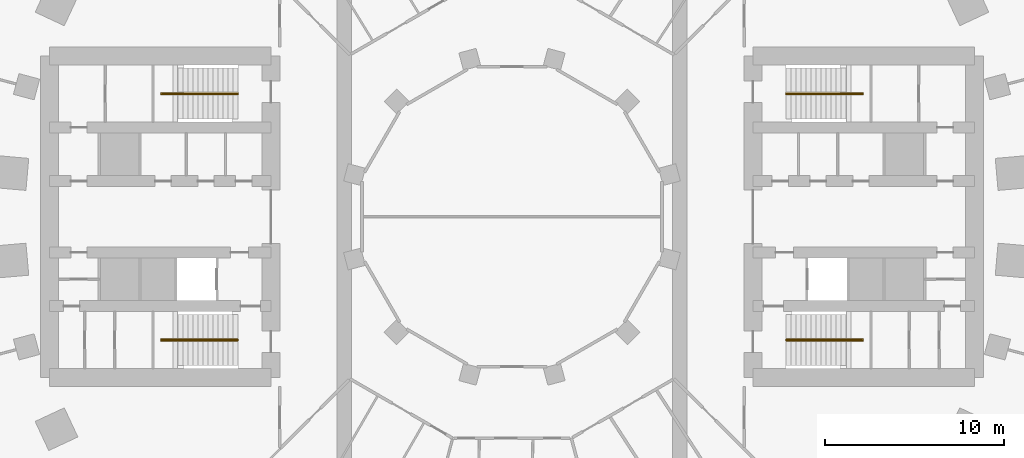
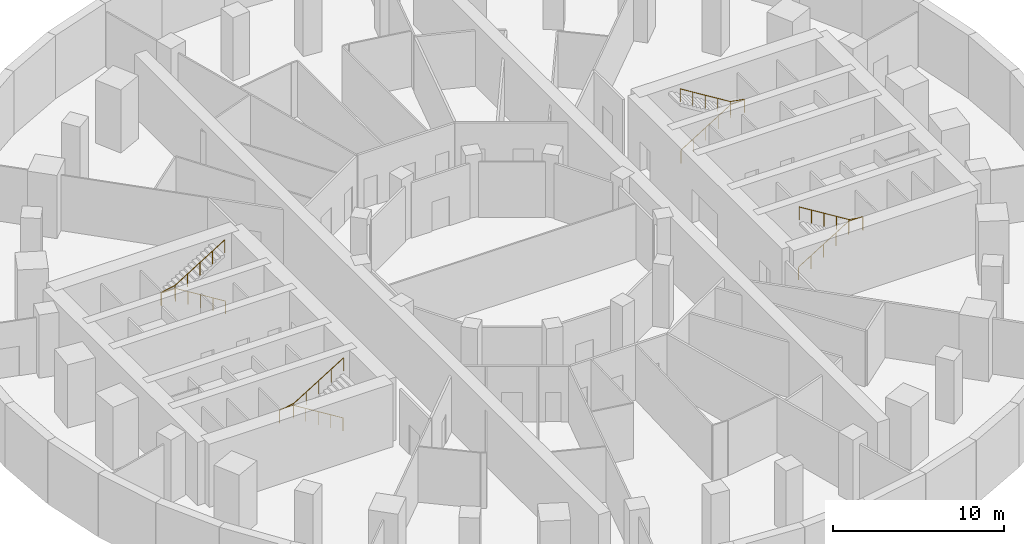
# One storey, part 8 of 8: 4 railings.
"""IFC4 building model written with IfcOpenShell, lengths in metres."""

from ifc_helpers import new_model, si_unit, direction, frame, origin, origin_2d, place, context, subcontext, project, spatial, circle, extrude, material, type_object, element, save


model = new_model("IFC4")

# Units and contexts
model_context = context("Model", 3, precision=1e-05, world=origin(), true_north=direction((0.0, 1.0)))
body_context = subcontext(model_context, "Body", "Model", "MODEL_VIEW")
ifc_project = project(units=[si_unit("LENGTHUNIT", "METRE"), si_unit("AREAUNIT", "SQUARE_METRE"), si_unit("VOLUMEUNIT", "CUBIC_METRE"), si_unit("PLANEANGLEUNIT", "RADIAN"), si_unit("MASSUNIT", "GRAM", prefix="KILO")], contexts=[model_context])

# Site, building, storey
site_placement = place(None, origin())
site = spatial("IfcSite", under=ifc_project, at=site_placement, CompositionType="ELEMENT")
building_placement = place(site_placement, origin())
building = spatial("IfcBuilding", under=site, at=building_placement, Name="Saqina Gate Tower", CompositionType="ELEMENT")
storey_placement = place(building_placement, frame((0.0, 0.0, -4.5)))
storey = spatial("IfcBuildingStorey", under=building, at=storey_placement, Name="B1", CompositionType="ELEMENT", Elevation=-4.5)

# Railings
ifc_material = material(Name="Stainless steel", Category="steel")
railing_type = type_object("IfcRailingType", Name="STAIR HANDRAIL", PredefinedType="HANDRAIL", material=ifc_material)
railing_1_placement = place(storey_placement, frame((15.35009765625, 6.86669921875, 0.173095703125)))
element("IfcRailing", 1, at=railing_1_placement, inside=storey, type_object=railing_type, Name="EXIT STAIR 1 HANDRAIL", PredefinedType="HANDRAIL", context=body_context, shape_type="SweptSolid", body=[
    extrude(circle(Radius=0.02392578125, at=origin_2d()), frame((0.0, 0.0, 0.92578125), z_axis=(0.850606129759, 0.0, 0.525803396734), x_axis=(0.0, 1.0, 0.0)), (0.0, 0.0, 1.0), 3.949951171875),
    extrude(circle(Radius=0.02392578125, at=origin_2d()), frame((3.35986328125, 0.0, 3.0029296875), z_axis=(1.0, 0.0, 0.0), x_axis=(0.0, 1.0, 0.0)), (0.0, 0.0, 1.0), 0.949951171875),
    extrude(circle(Radius=0.02392578125, at=origin_2d()), frame((4.309814453125, 0.0, 3.0029296875), z_axis=(0.0, 1.0, 0.0), x_axis=(-1.0, 0.0, 0.0)), (0.0, 0.0, 1.0), 0.066650390625),
    extrude(circle(Radius=0.02392578125, at=origin_2d()), frame((4.309814453125, 0.066650390625, 3.0029296875), z_axis=(-0.983801064867, 0.0, 0.17926367386), x_axis=(0.0, -1.0, 0.0)), (0.0, 0.0, 1.0), 0.965576171875),
    extrude(circle(Radius=0.02392578125, at=origin_2d()), frame((3.35986328125, 0.066650390625, 3.17578125), z_axis=(-0.850606129759, 0.0, 0.525803396734), x_axis=(0.0, -1.0, 0.0)), (0.0, 0.0, 1.0), 3.949951171875),
    extrude(circle(Radius=0.02099609375, at=origin_2d()), origin(), (0.0, 0.0, 1.0), 0.90185546875),
    extrude(circle(Radius=0.02099609375, at=origin_2d()), frame((0.83984375, 0.0, 0.519287109375)), (0.0, 0.0, 1.0), 0.90185546875),
    extrude(circle(Radius=0.02099609375, at=origin_2d()), frame((1.679931640625, 0.0, 1.03857421875)), (0.0, 0.0, 1.0), 0.90185546875),
    extrude(circle(Radius=0.02099609375, at=origin_2d()), frame((2.52001953125, 0.0, 1.5576171875)), (0.0, 0.0, 1.0), 0.90185546875),
    extrude(circle(Radius=0.02099609375, at=origin_2d()), frame((3.35986328125, 0.0, 2.076904296875)), (0.0, 0.0, 1.0), 0.90185546875),
    extrude(circle(Radius=0.02099609375, at=origin_2d()), frame((4.309814453125, 0.0, 2.076904296875)), (0.0, 0.0, 1.0), 0.90185546875),
    extrude(circle(Radius=0.02099609375, at=origin_2d()), frame((4.309814453125, 0.066650390625, 2.076904296875)), (0.0, 0.0, 1.0), 0.90185546875),
    extrude(circle(Radius=0.02099609375, at=origin_2d()), frame((3.35986328125, 0.066650390625, 2.25)), (0.0, 0.0, 1.0), 0.90185546875),
    extrude(circle(Radius=0.02099609375, at=origin_2d()), frame((2.52001953125, 0.066650390625, 2.769287109375)), (0.0, 0.0, 1.0), 0.90185546875),
    extrude(circle(Radius=0.02099609375, at=origin_2d()), frame((1.679931640625, 0.066650390625, 3.28857421875)), (0.0, 0.0, 1.0), 0.90185546875),
    extrude(circle(Radius=0.02099609375, at=origin_2d()), frame((0.83984375, 0.066650390625, 3.8076171875)), (0.0, 0.0, 1.0), 0.90185546875),
    extrude(circle(Radius=0.02099609375, at=origin_2d()), frame((0.0, 0.066650390625, 4.326904296875)), (0.0, 0.0, 1.0), 0.90185546875),
])
railing_2_placement = place(storey_placement, frame((15.35009765625, -6.86669921875, 0.173095703125)))
element("IfcRailing", 2, at=railing_2_placement, inside=storey, type_object=railing_type, Name="EXIT STAIR 2 HANDRAIL", PredefinedType="HANDRAIL", context=body_context, shape_type="SweptSolid", body=[
    extrude(circle(Radius=0.02392578125, at=origin_2d()), frame((0.0, 0.0, 0.92578125), z_axis=(0.850606129759, 0.0, 0.525803396734), x_axis=(0.0, 1.0, 0.0)), (0.0, 0.0, 1.0), 3.949951171875),
    extrude(circle(Radius=0.02392578125, at=origin_2d()), frame((3.35986328125, 0.0, 3.0029296875), z_axis=(1.0, 0.0, 0.0), x_axis=(0.0, 1.0, 0.0)), (0.0, 0.0, 1.0), 0.949951171875),
    extrude(circle(Radius=0.02392578125, at=origin_2d()), frame((4.309814453125, 0.0, 3.0029296875), z_axis=(0.0, -1.0, 0.0), x_axis=(1.0, 0.0, 0.0)), (0.0, 0.0, 1.0), 0.066650390625),
    extrude(circle(Radius=0.02392578125, at=origin_2d()), frame((4.309814453125, -0.066650390625, 3.0029296875), z_axis=(-0.983801064867, 0.0, 0.17926367386), x_axis=(0.0, -1.0, 0.0)), (0.0, 0.0, 1.0), 0.965576171875),
    extrude(circle(Radius=0.02392578125, at=origin_2d()), frame((3.35986328125, -0.066650390625, 3.17578125), z_axis=(-0.850606129759, 0.0, 0.525803396734), x_axis=(0.0, -1.0, 0.0)), (0.0, 0.0, 1.0), 3.949951171875),
    extrude(circle(Radius=0.02099609375, at=origin_2d()), origin(), (0.0, 0.0, 1.0), 0.90185546875),
    extrude(circle(Radius=0.02099609375, at=origin_2d()), frame((0.83984375, 0.0, 0.519287109375)), (0.0, 0.0, 1.0), 0.90185546875),
    extrude(circle(Radius=0.02099609375, at=origin_2d()), frame((1.679931640625, 0.0, 1.03857421875)), (0.0, 0.0, 1.0), 0.90185546875),
    extrude(circle(Radius=0.02099609375, at=origin_2d()), frame((2.52001953125, 0.0, 1.5576171875)), (0.0, 0.0, 1.0), 0.90185546875),
    extrude(circle(Radius=0.02099609375, at=origin_2d()), frame((3.35986328125, 0.0, 2.076904296875)), (0.0, 0.0, 1.0), 0.90185546875),
    extrude(circle(Radius=0.02099609375, at=origin_2d()), frame((4.309814453125, 0.0, 2.076904296875)), (0.0, 0.0, 1.0), 0.90185546875),
    extrude(circle(Radius=0.02099609375, at=origin_2d()), frame((4.309814453125, -0.066650390625, 2.076904296875)), (0.0, 0.0, 1.0), 0.90185546875),
    extrude(circle(Radius=0.02099609375, at=origin_2d()), frame((3.35986328125, -0.066650390625, 2.25)), (0.0, 0.0, 1.0), 0.90185546875),
    extrude(circle(Radius=0.02099609375, at=origin_2d()), frame((2.52001953125, -0.066650390625, 2.769287109375)), (0.0, 0.0, 1.0), 0.90185546875),
    extrude(circle(Radius=0.02099609375, at=origin_2d()), frame((1.679931640625, -0.066650390625, 3.28857421875)), (0.0, 0.0, 1.0), 0.90185546875),
    extrude(circle(Radius=0.02099609375, at=origin_2d()), frame((0.83984375, -0.066650390625, 3.8076171875)), (0.0, 0.0, 1.0), 0.90185546875),
    extrude(circle(Radius=0.02099609375, at=origin_2d()), frame((0.0, -0.066650390625, 4.326904296875)), (0.0, 0.0, 1.0), 0.90185546875),
])
railing_3_placement = place(storey_placement, frame((-15.35009765625, 6.86669921875, 0.173095703125)))
element("IfcRailing", 3, at=railing_3_placement, inside=storey, type_object=railing_type, Name="EXIT STAIR 3 HANDRAIL", PredefinedType="HANDRAIL", context=body_context, shape_type="SweptSolid", body=[
    extrude(circle(Radius=0.02392578125, at=origin_2d()), frame((0.0, 0.0, 0.92578125), z_axis=(-0.850606129759, 0.0, 0.525803396734), x_axis=(0.0, -1.0, 0.0)), (0.0, 0.0, 1.0), 3.949951171875),
    extrude(circle(Radius=0.02392578125, at=origin_2d()), frame((-3.35986328125, 0.0, 3.0029296875), z_axis=(-1.0, 0.0, 0.0), x_axis=(0.0, -1.0, 0.0)), (0.0, 0.0, 1.0), 0.949951171875),
    extrude(circle(Radius=0.02392578125, at=origin_2d()), frame((-4.309814453125, 0.0, 3.0029296875), z_axis=(0.0, 1.0, 0.0), x_axis=(-1.0, 0.0, 0.0)), (0.0, 0.0, 1.0), 0.066650390625),
    extrude(circle(Radius=0.02392578125, at=origin_2d()), frame((-4.309814453125, 0.066650390625, 3.0029296875), z_axis=(0.983801064867, 0.0, 0.17926367386), x_axis=(0.0, 1.0, 0.0)), (0.0, 0.0, 1.0), 0.965576171875),
    extrude(circle(Radius=0.02392578125, at=origin_2d()), frame((-3.35986328125, 0.066650390625, 3.17578125), z_axis=(0.850606129759, 0.0, 0.525803396734), x_axis=(0.0, 1.0, 0.0)), (0.0, 0.0, 1.0), 3.949951171875),
    extrude(circle(Radius=0.02099609375, at=origin_2d()), origin(), (0.0, 0.0, 1.0), 0.90185546875),
    extrude(circle(Radius=0.02099609375, at=origin_2d()), frame((-0.83984375, 0.0, 0.519287109375)), (0.0, 0.0, 1.0), 0.90185546875),
    extrude(circle(Radius=0.02099609375, at=origin_2d()), frame((-1.679931640625, 0.0, 1.03857421875)), (0.0, 0.0, 1.0), 0.90185546875),
    extrude(circle(Radius=0.02099609375, at=origin_2d()), frame((-2.52001953125, 0.0, 1.5576171875)), (0.0, 0.0, 1.0), 0.90185546875),
    extrude(circle(Radius=0.02099609375, at=origin_2d()), frame((-3.35986328125, 0.0, 2.076904296875)), (0.0, 0.0, 1.0), 0.90185546875),
    extrude(circle(Radius=0.02099609375, at=origin_2d()), frame((-4.309814453125, 0.0, 2.076904296875)), (0.0, 0.0, 1.0), 0.90185546875),
    extrude(circle(Radius=0.02099609375, at=origin_2d()), frame((-4.309814453125, 0.066650390625, 2.076904296875)), (0.0, 0.0, 1.0), 0.90185546875),
    extrude(circle(Radius=0.02099609375, at=origin_2d()), frame((-3.35986328125, 0.066650390625, 2.25)), (0.0, 0.0, 1.0), 0.90185546875),
    extrude(circle(Radius=0.02099609375, at=origin_2d()), frame((-2.52001953125, 0.066650390625, 2.769287109375)), (0.0, 0.0, 1.0), 0.90185546875),
    extrude(circle(Radius=0.02099609375, at=origin_2d()), frame((-1.679931640625, 0.066650390625, 3.28857421875)), (0.0, 0.0, 1.0), 0.90185546875),
    extrude(circle(Radius=0.02099609375, at=origin_2d()), frame((-0.83984375, 0.066650390625, 3.8076171875)), (0.0, 0.0, 1.0), 0.90185546875),
    extrude(circle(Radius=0.02099609375, at=origin_2d()), frame((0.0, 0.066650390625, 4.326904296875)), (0.0, 0.0, 1.0), 0.90185546875),
])
railing_4_placement = place(storey_placement, frame((-15.35009765625, -6.86669921875, 0.173095703125)))
element("IfcRailing", 4, at=railing_4_placement, inside=storey, type_object=railing_type, Name="EXIT STAIR 4 HANDRAIL", PredefinedType="HANDRAIL", context=body_context, shape_type="SweptSolid", body=[
    extrude(circle(Radius=0.02392578125, at=origin_2d()), frame((0.0, 0.0, 0.92578125), z_axis=(-0.850606129759, 0.0, 0.525803396734), x_axis=(0.0, -1.0, 0.0)), (0.0, 0.0, 1.0), 3.949951171875),
    extrude(circle(Radius=0.02392578125, at=origin_2d()), frame((-3.35986328125, 0.0, 3.0029296875), z_axis=(-1.0, 0.0, 0.0), x_axis=(0.0, -1.0, 0.0)), (0.0, 0.0, 1.0), 0.949951171875),
    extrude(circle(Radius=0.02392578125, at=origin_2d()), frame((-4.309814453125, 0.0, 3.0029296875), z_axis=(0.0, -1.0, 0.0), x_axis=(1.0, 0.0, 0.0)), (0.0, 0.0, 1.0), 0.066650390625),
    extrude(circle(Radius=0.02392578125, at=origin_2d()), frame((-4.309814453125, -0.066650390625, 3.0029296875), z_axis=(0.983801064867, 0.0, 0.17926367386), x_axis=(0.0, 1.0, 0.0)), (0.0, 0.0, 1.0), 0.965576171875),
    extrude(circle(Radius=0.02392578125, at=origin_2d()), frame((-3.35986328125, -0.066650390625, 3.17578125), z_axis=(0.850606129759, 0.0, 0.525803396734), x_axis=(0.0, 1.0, 0.0)), (0.0, 0.0, 1.0), 3.949951171875),
    extrude(circle(Radius=0.02099609375, at=origin_2d()), origin(), (0.0, 0.0, 1.0), 0.90185546875),
    extrude(circle(Radius=0.02099609375, at=origin_2d()), frame((-0.83984375, 0.0, 0.519287109375)), (0.0, 0.0, 1.0), 0.90185546875),
    extrude(circle(Radius=0.02099609375, at=origin_2d()), frame((-1.679931640625, 0.0, 1.03857421875)), (0.0, 0.0, 1.0), 0.90185546875),
    extrude(circle(Radius=0.02099609375, at=origin_2d()), frame((-2.52001953125, 0.0, 1.5576171875)), (0.0, 0.0, 1.0), 0.90185546875),
    extrude(circle(Radius=0.02099609375, at=origin_2d()), frame((-3.35986328125, 0.0, 2.076904296875)), (0.0, 0.0, 1.0), 0.90185546875),
    extrude(circle(Radius=0.02099609375, at=origin_2d()), frame((-4.309814453125, 0.0, 2.076904296875)), (0.0, 0.0, 1.0), 0.90185546875),
    extrude(circle(Radius=0.02099609375, at=origin_2d()), frame((-4.309814453125, -0.066650390625, 2.076904296875)), (0.0, 0.0, 1.0), 0.90185546875),
    extrude(circle(Radius=0.02099609375, at=origin_2d()), frame((-3.35986328125, -0.066650390625, 2.25)), (0.0, 0.0, 1.0), 0.90185546875),
    extrude(circle(Radius=0.02099609375, at=origin_2d()), frame((-2.52001953125, -0.066650390625, 2.769287109375)), (0.0, 0.0, 1.0), 0.90185546875),
    extrude(circle(Radius=0.02099609375, at=origin_2d()), frame((-1.679931640625, -0.066650390625, 3.28857421875)), (0.0, 0.0, 1.0), 0.90185546875),
    extrude(circle(Radius=0.02099609375, at=origin_2d()), frame((-0.83984375, -0.066650390625, 3.8076171875)), (0.0, 0.0, 1.0), 0.90185546875),
    extrude(circle(Radius=0.02099609375, at=origin_2d()), frame((0.0, -0.066650390625, 4.326904296875)), (0.0, 0.0, 1.0), 0.90185546875),
])

save(model, "model.ifc")
